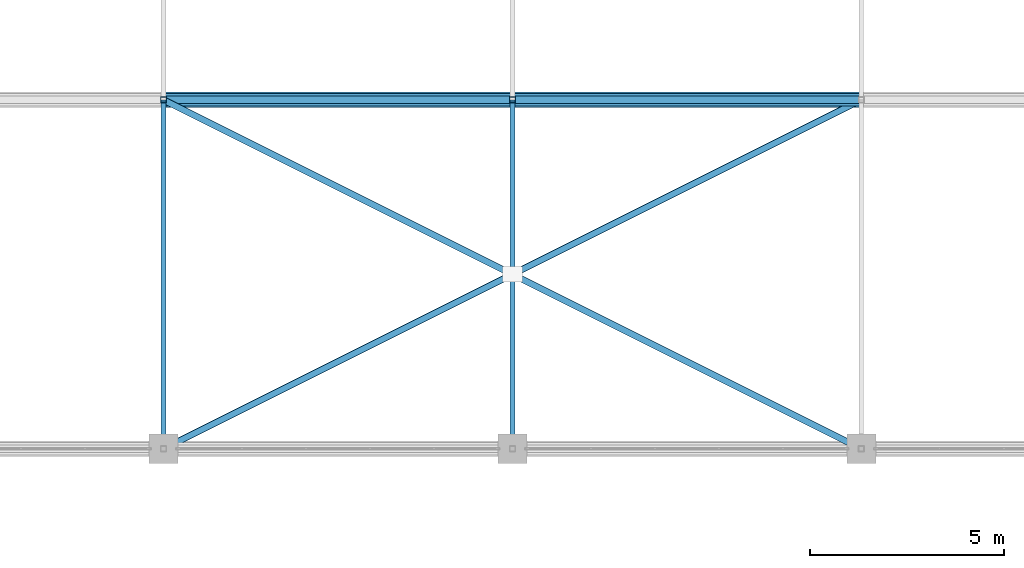
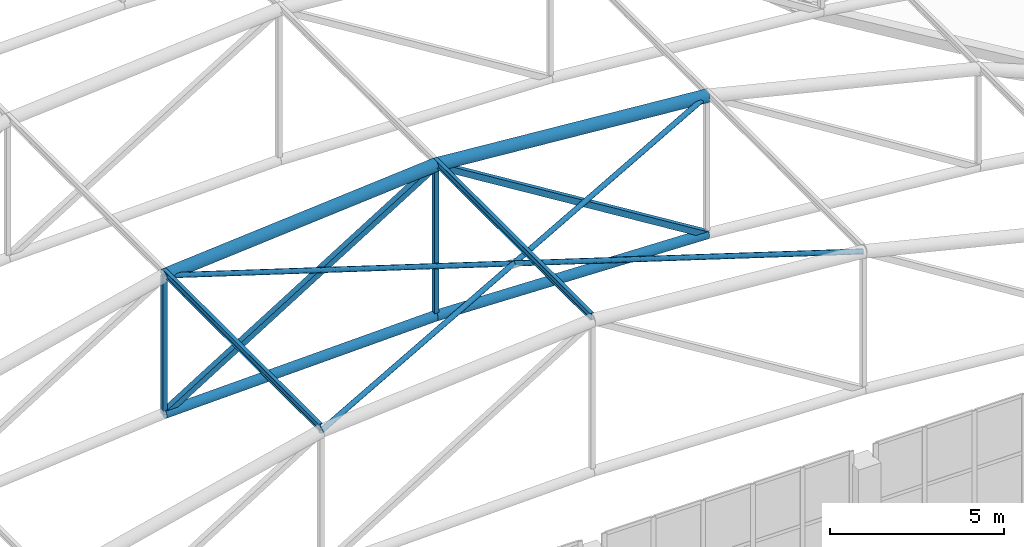
# One storey, part 9 of 167: 13 members.
"""IFC4 building model written with IfcOpenShell, lengths in metres."""

from ifc_helpers import new_model, si_unit, direction, frame, origin, origin_2d, place, context, subcontext, project, spatial, hollow_rectangle, hollow_circle, i_section, extrude, material, material_profile, profile_set, type_object, element, save


model = new_model("IFC4")

# Units and contexts
model_context = context("Model", 3, precision=1e-05, world=origin(), true_north=direction((0.0, 1.0)))
body_context = subcontext(model_context, "Body", "Model", "MODEL_VIEW")
ifc_project = project(units=[si_unit("LENGTHUNIT", "METRE"), si_unit("AREAUNIT", "SQUARE_METRE"), si_unit("VOLUMEUNIT", "CUBIC_METRE"), si_unit("PLANEANGLEUNIT", "RADIAN"), si_unit("MASSUNIT", "GRAM", prefix="KILO")], contexts=[model_context])

# Site, building, storey
site_placement = place(None, origin())
site = spatial("IfcSite", under=ifc_project, at=site_placement, CompositionType="ELEMENT")
building_placement = place(site_placement, origin())
building = spatial("IfcBuilding", under=site, at=building_placement, Name="Dornveld Trade and Exhibition Forum", CompositionType="ELEMENT")
storey_placement = place(building_placement, frame((0.0, 0.0, 16.800048828125)))
storey = spatial("IfcBuildingStorey", under=building, at=storey_placement, Name="L03", CompositionType="ELEMENT", Elevation=16.800048828125)

# Members
ifc_material_1 = material(Name="Steel S355J2", Category="steel")
ifc_material_profile_1 = material_profile(ifc_material_1, hollow_circle(Radius=0.161865234375, WallThickness=0.01611328125, at=origin_2d()), Name="CHS 323.9x16")
ifc_profile_set_1 = profile_set([ifc_material_profile_1], Name="Steel S355J2")
member_type_1 = type_object("IfcMemberType", Name="MEM-ARCH-BC", PredefinedType="CHORD", material=ifc_profile_set_1)
for number, where, z_axis, x_axis, name in (
    (1, (45.0, 45.0, 6.083251953125), (0.999561545365, 0.0, 0.029609407757), (0.0, 1.0, 0.0), "H3 truss 2 tie chord 3"),
    (2, (54.0, 45.0, 6.349853515625), (0.999561545365, 0.0, -0.029609407757), (0.0, 1.0, 0.0), "H3 truss 2 tie chord 4"),
):
    element("IfcMember", number, at=place(storey_placement, frame(where, z_axis=z_axis, x_axis=x_axis)), inside=storey, type_object=member_type_1, Name=name, PredefinedType="CHORD", context=body_context, shape_type="SweptSolid", body=[
        extrude(hollow_circle(Radius=0.161865234375, WallThickness=0.01611328125, at=origin_2d()), origin(), (0.0, 0.0, 1.0), 9.00390625),
    ])
ifc_material_2 = material(Name="Steel S355J2", Category="steel")
ifc_material_profile_2 = material_profile(ifc_material_2, hollow_rectangle(XDim=0.14990234375, YDim=0.14990234375, WallThickness=0.008056640625, at=origin_2d()), Name="SHS 150x150x8")
ifc_profile_set_2 = profile_set([ifc_material_profile_2], Name="Steel S355J2")
member_type_2 = type_object("IfcMemberType", Name="MEM-ARCH-STR", PredefinedType="STRUT", material=ifc_profile_set_2)
member_1_placement = place(storey_placement, frame((45.0, 45.0, 6.083251953125), z_axis=(0.0, 0.0, 1.0), x_axis=(1.0, 0.0, 0.0)))
element("IfcMember", 3, at=member_1_placement, inside=storey, type_object=member_type_2, Name="H3 truss 2 strut 3", PredefinedType="STRUT", context=body_context, shape_type="SweptSolid", body=[
    extrude(hollow_rectangle(XDim=0.14990234375, YDim=0.14990234375, WallThickness=0.008056640625, at=origin_2d()), origin(), (0.0, 0.0, 1.0), 4.83349609375),
])
member_2_placement = place(storey_placement, frame((54.0, 45.0, 6.349853515625), z_axis=(0.0, 0.0, 1.0), x_axis=(1.0, 0.0, 0.0)))
element("IfcMember", 4, at=member_2_placement, inside=storey, type_object=member_type_2, Name="H3 truss 2 strut 4", PredefinedType="STRUT", context=body_context, shape_type="SweptSolid", body=[
    extrude(hollow_rectangle(XDim=0.14990234375, YDim=0.14990234375, WallThickness=0.008056640625, at=origin_2d()), origin(), (0.0, 0.0, 1.0), 5.300048828125),
])
ifc_material_3 = material(Name="Steel S355J2", Category="steel")
ifc_material_profile_3 = material_profile(ifc_material_3, hollow_circle(Radius=0.203125, WallThickness=0.02001953125, at=origin_2d()), Name="CHS 406.4x20")
ifc_profile_set_3 = profile_set([ifc_material_profile_3], Name="Steel S355J2")
member_type_3 = type_object("IfcMemberType", Name="MEM-ARCH-TC", PredefinedType="CHORD", material=ifc_profile_set_3)
for number, where, z_axis, x_axis, name in (
    (5, (45.0, 45.0, 10.916748046875), (0.996698427641, 0.0, 0.081192637213), (0.0, 1.0, 0.0), "H3 truss 2 top chord 3"),
    (6, (54.0, 45.0, 11.64990234375), (0.996698427641, 0.0, -0.081192637213), (0.0, 1.0, 0.0), "H3 truss 2 top chord 4"),
):
    element("IfcMember", number, at=place(storey_placement, frame(where, z_axis=z_axis, x_axis=x_axis)), inside=storey, type_object=member_type_3, Name=name, PredefinedType="CHORD", context=body_context, shape_type="SweptSolid", body=[
        extrude(hollow_circle(Radius=0.203125, WallThickness=0.02001953125, at=origin_2d()), origin(), (0.0, 0.0, 1.0), 9.02978515625),
    ])
ifc_material_4 = material(Name="Steel S355J2", Category="steel")
ifc_material_profile_4 = material_profile(ifc_material_4, hollow_rectangle(XDim=0.199951171875, YDim=0.199951171875, WallThickness=0.010009765625, at=origin_2d()), Name="SHS 200x200x10")
ifc_profile_set_4 = profile_set([ifc_material_profile_4], Name="Steel S355J2")
member_type_4 = type_object("IfcMemberType", Name="MEM-ARCH-WEB", PredefinedType="BRACE", material=ifc_profile_set_4)
for number, where, z_axis, x_axis, name in (
    (7, (45.0, 45.0, 6.083251953125), (0.850467158024, 0.0, 0.526028148603), (0.0, 1.0, 0.0), "H3 truss 2 web 3"),
    (8, (63.0, 45.0, 6.083251953125), (-0.850467158024, 0.0, 0.526028148603), (0.0, -1.0, 0.0), "H3 truss 2 web 4"),
):
    element("IfcMember", number, at=place(storey_placement, frame(where, z_axis=z_axis, x_axis=x_axis)), inside=storey, type_object=member_type_4, Name=name, PredefinedType="BRACE", context=body_context, shape_type="SweptSolid", body=[
        extrude(hollow_rectangle(XDim=0.199951171875, YDim=0.199951171875, WallThickness=0.010009765625, at=origin_2d()), origin(), (0.0, 0.0, 1.0), 10.58251953125),
    ])
ifc_material_5 = material(Name="Steel S355J2", Category="steel")
ifc_material_profile_5 = material_profile(ifc_material_5, hollow_circle(Radius=0.084228515625, WallThickness=0.008056640625, at=origin_2d()), Name="CHS 168.3x8")
ifc_profile_set_5 = profile_set([ifc_material_profile_5], Name="Steel S355J2")
member_type_5 = type_object("IfcMemberType", Name="MEM-BRACE-168", PredefinedType="BRACE", material=ifc_profile_set_5)
member_3_placement = place(storey_placement, frame((45.0, 36.0, 10.916748046875), z_axis=(0.894427191, 0.4472135955, 0.0), x_axis=(-0.4472135955, 0.894427191, 0.0)))
element("IfcMember", 9, at=member_3_placement, inside=storey, type_object=member_type_5, Name="H3 roof wind brace 1A", PredefinedType="BRACE", context=body_context, shape_type="SweptSolid", body=[
    extrude(hollow_circle(Radius=0.084228515625, WallThickness=0.008056640625, at=origin_2d()), origin(), (0.0, 0.0, 1.0), 20.12451171875),
])
for number, where, z_axis, x_axis, name in (
    (10, (63.0, 36.0, 10.916748046875), (-0.894427191, 0.4472135955, 0.0), (-0.4472135955, -0.894427191, 0.0), "H3 roof wind brace 1B1"),
    (11, (54.0, 40.5, 10.916748046875), (-0.894427191, 0.4472135955, 0.0), (-0.4472135955, -0.894427191, 0.0), "H3 roof wind brace 1B2"),
):
    element("IfcMember", number, at=place(storey_placement, frame(where, z_axis=z_axis, x_axis=x_axis)), inside=storey, type_object=member_type_5, Name=name, PredefinedType="BRACE", context=body_context, shape_type="SweptSolid", body=[
        extrude(hollow_circle(Radius=0.084228515625, WallThickness=0.008056640625, at=origin_2d()), origin(), (0.0, 0.0, 1.0), 10.062255859375),
    ])
ifc_material_6 = material(Name="Steel S355J2", Category="steel")
ifc_material_profile_6 = material_profile(ifc_material_6, i_section(OverallWidth=0.1201171875, OverallDepth=0.239990234375, WebThickness=0.006103515625, FlangeThickness=0.009765625, FilletRadius=0.014892578125, at=origin_2d()), Name="IPE 240")
ifc_profile_set_6 = profile_set([ifc_material_profile_6], Name="Steel S355J2")
member_type_6 = type_object("IfcMemberType", Name="MEM-PURLIN-240", PredefinedType="PURLIN", material=ifc_profile_set_6)
for number, where, z_axis, x_axis, name in (
    (12, (45.0, 36.0, 11.048583984375), (0.0, 1.0, 0.0), (-1.0, 0.0, 0.0), "H3 bay 1 roof purlin 3"),
    (13, (54.0, 36.0, 11.781982421875), (0.0, 1.0, 0.0), (-1.0, 0.0, 0.0), "H3 bay 1 roof purlin 4"),
):
    element("IfcMember", number, at=place(storey_placement, frame(where, z_axis=z_axis, x_axis=x_axis)), inside=storey, type_object=member_type_6, Name=name, PredefinedType="PURLIN", context=body_context, shape_type="SweptSolid", body=[
        extrude(i_section(OverallWidth=0.1201171875, OverallDepth=0.239990234375, WebThickness=0.006103515625, FlangeThickness=0.009765625, FilletRadius=0.014892578125, at=origin_2d()), origin(), (0.0, 0.0, 1.0), 9.0),
    ])

save(model, "model.ifc")
